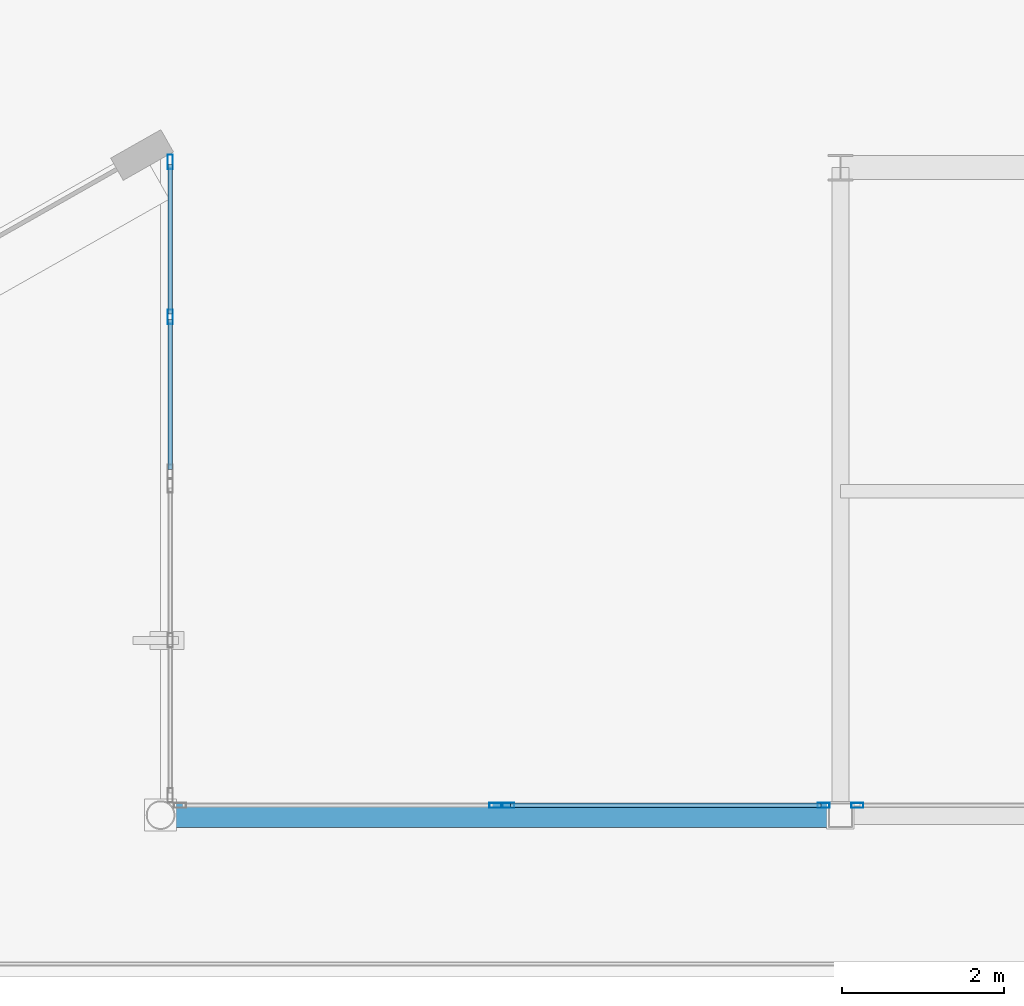
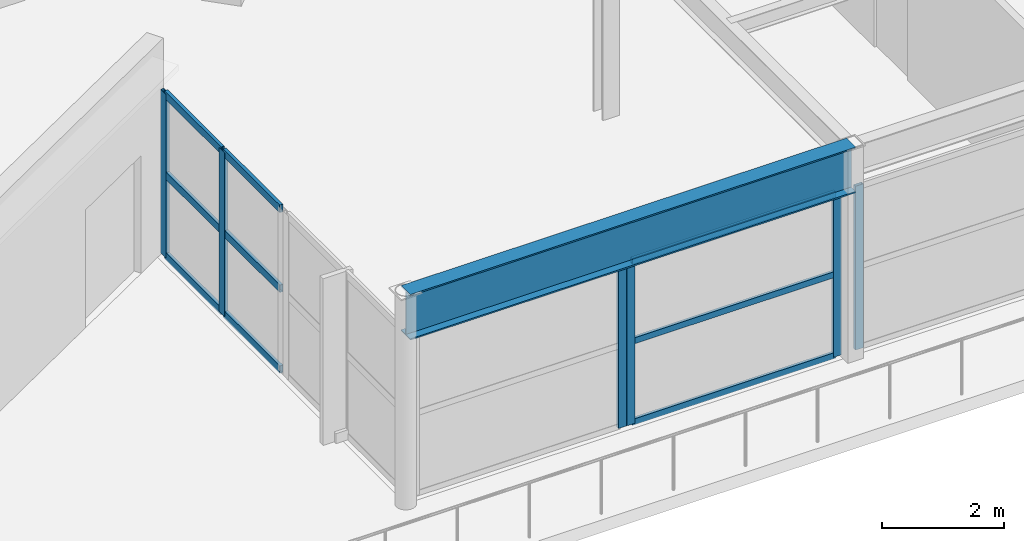
# One storey, part 59 of 123: 15 members, 1 beam, 4 elements without a shape of their own.
"""IFC4 building model written with IfcOpenShell, lengths in metres."""

from ifc_helpers import new_model, si_unit, direction, frame, origin, origin_2d, place, context, subcontext, project, spatial, hollow_rectangle, i_section, extrude, material, layer, layer_set, material_profile, profile_set, type_object, element, aggregate, save


model = new_model("IFC4")

# Units and contexts
model_context = context("Model", 3, precision=1e-05, world=origin(), true_north=direction((0.0, 1.0)))
body_context = subcontext(model_context, "Body", "Model", "MODEL_VIEW")
ifc_project = project(units=[si_unit("LENGTHUNIT", "METRE"), si_unit("AREAUNIT", "SQUARE_METRE"), si_unit("VOLUMEUNIT", "CUBIC_METRE"), si_unit("PLANEANGLEUNIT", "RADIAN"), si_unit("MASSUNIT", "GRAM", prefix="KILO")], contexts=[model_context])

# Site, building, storey
site_placement = place(None, origin())
site = spatial("IfcSite", under=ifc_project, at=site_placement, CompositionType="ELEMENT")
building_placement = place(site_placement, origin())
building = spatial("IfcBuilding", under=site, at=building_placement, Name="Kalgoora Escarpment Arena", CompositionType="ELEMENT")
storey_placement = place(building_placement, frame((0.0, 0.0, 9.89990234375)))
storey = spatial("IfcBuildingStorey", under=building, at=storey_placement, Name="L02", CompositionType="ELEMENT", Elevation=9.89990234375)

# Beam
ifc_material_1 = material(Name="Structural steel Grade 350 (350 MPa)", Category="steel")
ifc_material_profile_1 = material_profile(ifc_material_1, i_section(OverallWidth=0.300048828125, OverallDepth=0.909912109375, WebThickness=0.011962890625, FlangeThickness=0.028076171875, at=origin_2d()))
ifc_profile_set_1 = profile_set([ifc_material_profile_1], Name="Structural steel Grade 350 (350 MPa)")
beam_type = type_object("IfcBeamType", Name="BM-SPANDREL-900WB218", PredefinedType="SPANDREL", material=ifc_profile_set_1)
beam_placement = place(storey_placement, frame((142.800048828125, 8.0, 3.80517578125), z_axis=(1.0, 0.0, 0.0), x_axis=(0.0, 1.0, 0.0)))
element("IfcBeam", 1, at=beam_placement, inside=storey, type_object=beam_type, Name="L02 Floor girder 900WB218", PredefinedType="SPANDREL", context=body_context, shape_type="SweptSolid", body=[
    extrude(i_section(OverallWidth=0.300048828125, OverallDepth=0.909912109375, WebThickness=0.011962890625, FlangeThickness=0.028076171875, at=origin_2d()), origin(), (0.0, 0.0, 1.0), 8.39990234375),
])

# Curtain wall, member
ifc_material_2 = material(Name=" Champagne anodised aluminium & double-glazed low-E", Category="aluminium")
ifc_layer_1 = layer(ifc_material_2, 0.154052734375)
ifc_layer_set_1 = layer_set([ifc_layer_1], Name="CW-UNIT-16")
curtain_wall_type_1 = type_object("IfcCurtainWallType", Name="CW-UNIT-16", PredefinedType="NOTDEFINED", material=ifc_layer_set_1)
curtain_wall_1_placement = place(storey_placement, origin())
curtain_wall_1 = element("IfcCurtainWall", 2, at=curtain_wall_1_placement, inside=storey, type_object=curtain_wall_type_1, Name="L02 unitised facade curtain wall 095", PredefinedType="NOTDEFINED")
ifc_material_3 = material(Name="Anodised aluminium 6063-T6", Category="aluminium")
ifc_material_profile_2 = material_profile(ifc_material_3, hollow_rectangle(XDim=0.06005859375, YDim=0.14990234375, WallThickness=0.00341796875, at=origin_2d()))
ifc_profile_set_2 = profile_set([ifc_material_profile_2], Name="Anodised aluminium 6063-T6")
member_type_1 = type_object("IfcMemberType", Name="MEM-CW-MULL-150", PredefinedType="MULLION", material=ifc_profile_set_2)
member_1_placement = place(storey_placement, frame((151.408447265625, 8.1201171875, 0.02001953125), z_axis=(0.0, 0.0, 1.0), x_axis=(0.0, -1.0, 0.0)))
member_1 = element("IfcMember", 3, at=member_1_placement, type_object=member_type_1, Name="CW-16 mullion 2", PredefinedType="MULLION", context=body_context, shape_type="SweptSolid", body=[
    extrude(hollow_rectangle(XDim=0.06005859375, YDim=0.14990234375, WallThickness=0.00341796875, at=origin_2d()), origin(), (0.0, 0.0, 1.0), 3.26513671875),
])
aggregate(curtain_wall_1, [member_1])

# Curtain wall, members
ifc_material_4 = material(Name=" Champagne anodised aluminium & double-glazed low-E", Category="aluminium")
ifc_layer_2 = layer(ifc_material_4, 0.157958984375)
ifc_layer_set_2 = layer_set([ifc_layer_2], Name="CW-UNIT-17")
curtain_wall_type_2 = type_object("IfcCurtainWallType", Name="CW-UNIT-17", PredefinedType="NOTDEFINED", material=ifc_layer_set_2)
curtain_wall_2_placement = place(storey_placement, origin())
curtain_wall_2 = element("IfcCurtainWall", 4, at=curtain_wall_2_placement, inside=storey, type_object=curtain_wall_type_2, Name="L02 unitised facade curtain wall 096", PredefinedType="NOTDEFINED")
member_2_placement = place(storey_placement, frame((150.99169921875, 8.1201171875, 0.02001953125), z_axis=(0.0, 0.0, 1.0), x_axis=(0.0, -1.0, 0.0)))
member_2 = element("IfcMember", 5, at=member_2_placement, type_object=member_type_1, Name="CW-17 mullion 1", PredefinedType="MULLION", context=body_context, shape_type="SweptSolid", body=[
    extrude(hollow_rectangle(XDim=0.06005859375, YDim=0.14990234375, WallThickness=0.00341796875, at=origin_2d()), origin(), (0.0, 0.0, 1.0), 3.26513671875),
])
member_3_placement = place(storey_placement, frame((147.09619140625, 8.1201171875, 0.02001953125), z_axis=(0.0, 0.0, 1.0), x_axis=(0.0, -1.0, 0.0)))
member_3 = element("IfcMember", 6, at=member_3_placement, type_object=member_type_1, Name="CW-17 mullion 2", PredefinedType="MULLION", context=body_context, shape_type="SweptSolid", body=[
    extrude(hollow_rectangle(XDim=0.06005859375, YDim=0.14990234375, WallThickness=0.00341796875, at=origin_2d()), origin(), (0.0, 0.0, 1.0), 3.26513671875),
])

# Curtain wall, member
ifc_material_5 = material(Name=" Champagne anodised aluminium & double-glazed low-E", Category="aluminium")
ifc_layer_3 = layer(ifc_material_5, 0.162109375)
ifc_layer_set_3 = layer_set([ifc_layer_3], Name="CW-UNIT-18")
curtain_wall_type_3 = type_object("IfcCurtainWallType", Name="CW-UNIT-18", PredefinedType="NOTDEFINED", material=ifc_layer_set_3)
curtain_wall_3_placement = place(storey_placement, origin())
curtain_wall_3 = element("IfcCurtainWall", 7, at=curtain_wall_3_placement, inside=storey, type_object=curtain_wall_type_3, Name="L02 unitised facade curtain wall 097", PredefinedType="NOTDEFINED")
member_4_placement = place(storey_placement, frame((146.936279296875, 8.1201171875, 0.02001953125), z_axis=(0.0, 0.0, 1.0), x_axis=(0.0, -1.0, 0.0)))
member_4 = element("IfcMember", 8, at=member_4_placement, type_object=member_type_1, Name="CW-18 mullion 1", PredefinedType="MULLION", context=body_context, shape_type="SweptSolid", body=[
    extrude(hollow_rectangle(XDim=0.06005859375, YDim=0.14990234375, WallThickness=0.00341796875, at=origin_2d()), origin(), (0.0, 0.0, 1.0), 3.26513671875),
])
aggregate(curtain_wall_3, [member_4])

# Curtain wall, members
ifc_material_6 = material(Name=" Champagne anodised aluminium & double-glazed low-E", Category="aluminium")
ifc_layer_4 = layer(ifc_material_6, 0.162109375)
ifc_layer_set_4 = layer_set([ifc_layer_4], Name="CW-UNIT-03")
curtain_wall_type_4 = type_object("IfcCurtainWallType", Name="CW-UNIT-03", PredefinedType="NOTDEFINED", material=ifc_layer_set_4)
curtain_wall_4_placement = place(storey_placement, origin())
curtain_wall_4 = element("IfcCurtainWall", 9, at=curtain_wall_4_placement, inside=storey, type_object=curtain_wall_type_4, Name="L02 unitised facade curtain wall 042", PredefinedType="NOTDEFINED")
ifc_material_7 = material(Name="Anodised aluminium 6063-T6", Category="aluminium")
ifc_material_profile_3 = material_profile(ifc_material_7, hollow_rectangle(XDim=0.06494140625, YDim=0.179931640625, WallThickness=0.00390625, at=origin_2d()))
ifc_profile_set_3 = profile_set([ifc_material_profile_3], Name="Anodised aluminium 6063-T6")
member_type_2 = type_object("IfcMemberType", Name="MEM-CW-MULL-180", PredefinedType="MULLION", material=ifc_profile_set_3)
member_5_placement = place(storey_placement, frame((142.919921875, 14.155517578125, 0.02001953125), z_axis=(0.0, 0.0, 1.0), x_axis=(-1.0, 0.0, 0.0)))
member_5 = element("IfcMember", 10, at=member_5_placement, type_object=member_type_2, Name="CW-03 mullion 2", PredefinedType="MULLION", context=body_context, shape_type="SweptSolid", body=[
    extrude(hollow_rectangle(XDim=0.06494140625, YDim=0.179931640625, WallThickness=0.00390625, at=origin_2d()), origin(), (0.0, 0.0, 1.0), 3.26513671875),
])
member_6_placement = place(storey_placement, frame((142.919921875, 16.071044921875, 0.02001953125), z_axis=(0.0, 0.0, 1.0), x_axis=(-1.0, 0.0, 0.0)))
member_6 = element("IfcMember", 11, at=member_6_placement, type_object=member_type_2, Name="CW-03 mullion 3", PredefinedType="MULLION", context=body_context, shape_type="SweptSolid", body=[
    extrude(hollow_rectangle(XDim=0.06494140625, YDim=0.179931640625, WallThickness=0.00390625, at=origin_2d()), origin(), (0.0, 0.0, 1.0), 3.26513671875),
])

# Member
ifc_material_8 = material(Name="Anodised aluminium 6063-T6", Category="aluminium")
ifc_material_profile_4 = material_profile(ifc_material_8, hollow_rectangle(XDim=0.054931640625, YDim=0.1201171875, WallThickness=0.003173828125, at=origin_2d()))
ifc_profile_set_4 = profile_set([ifc_material_profile_4], Name="Anodised aluminium 6063-T6")
member_type_3 = type_object("IfcMemberType", Name="MEM-CW-TRAN-120", PredefinedType="USERDEFINED", material=ifc_profile_set_4)
member_7_placement = place(storey_placement, frame((150.961669921875, 8.1201171875, 0.047607421875), z_axis=(-1.0, 0.0, 0.0), x_axis=(0.0, -1.0, 0.0)))
member_7 = element("IfcMember", 12, at=member_7_placement, type_object=member_type_3, Name="CW-17 transom 1.1", ObjectType="TRANSOM", PredefinedType="USERDEFINED", context=body_context, shape_type="SweptSolid", body=[
    extrude(hollow_rectangle(XDim=0.054931640625, YDim=0.1201171875, WallThickness=0.003173828125, at=origin_2d()), origin(), (0.0, 0.0, 1.0), 3.83544921875),
])

member_8_placement = place(storey_placement, frame((150.961669921875, 8.1201171875, 1.66259765625), z_axis=(-1.0, 0.0, 0.0), x_axis=(0.0, -1.0, 0.0)))
member_8 = element("IfcMember", 13, at=member_8_placement, type_object=member_type_3, Name="CW-17 transom 1.2", ObjectType="TRANSOM", PredefinedType="USERDEFINED", context=body_context, shape_type="SweptSolid", body=[
    extrude(hollow_rectangle(XDim=0.054931640625, YDim=0.1201171875, WallThickness=0.003173828125, at=origin_2d()), origin(), (0.0, 0.0, 1.0), 3.83544921875),
])

member_9_placement = place(storey_placement, frame((150.961669921875, 8.1201171875, 3.257568359375), z_axis=(-1.0, 0.0, 0.0), x_axis=(0.0, -1.0, 0.0)))
member_9 = element("IfcMember", 14, at=member_9_placement, type_object=member_type_3, Name="CW-17 transom 1.3", ObjectType="TRANSOM", PredefinedType="USERDEFINED", context=body_context, shape_type="SweptSolid", body=[
    extrude(hollow_rectangle(XDim=0.054931640625, YDim=0.1201171875, WallThickness=0.003173828125, at=origin_2d()), origin(), (0.0, 0.0, 1.0), 3.83544921875),
])

aggregate(curtain_wall_2, [member_2, member_3, member_7, member_8, member_9])

ifc_material_9 = material(Name="Anodised aluminium 6063-T6", Category="aluminium")
ifc_material_profile_5 = material_profile(ifc_material_9, hollow_rectangle(XDim=0.06005859375, YDim=0.14990234375, WallThickness=0.00341796875, at=origin_2d()))
ifc_profile_set_5 = profile_set([ifc_material_profile_5], Name="Anodised aluminium 6063-T6")
member_type_4 = type_object("IfcMemberType", Name="MEM-CW-TRAN-150", PredefinedType="USERDEFINED", material=ifc_profile_set_5)
member_10_placement = place(storey_placement, frame((142.919921875, 12.272216796875, 0.050048828125), z_axis=(0.0, 1.0, 0.0), x_axis=(-1.0, 0.0, 0.0)))
member_10 = element("IfcMember", 15, at=member_10_placement, type_object=member_type_4, Name="CW-03 transom 1.1", ObjectType="TRANSOM", PredefinedType="USERDEFINED", context=body_context, shape_type="SweptSolid", body=[
    extrude(hollow_rectangle(XDim=0.06005859375, YDim=0.14990234375, WallThickness=0.00341796875, at=origin_2d()), origin(), (0.0, 0.0, 1.0), 1.8505859375),
])

member_11_placement = place(storey_placement, frame((142.919921875, 12.272216796875, 1.66259765625), z_axis=(0.0, 1.0, 0.0), x_axis=(-1.0, 0.0, 0.0)))
member_11 = element("IfcMember", 16, at=member_11_placement, type_object=member_type_4, Name="CW-03 transom 1.2", ObjectType="TRANSOM", PredefinedType="USERDEFINED", context=body_context, shape_type="SweptSolid", body=[
    extrude(hollow_rectangle(XDim=0.06005859375, YDim=0.14990234375, WallThickness=0.00341796875, at=origin_2d()), origin(), (0.0, 0.0, 1.0), 1.8505859375),
])

member_12_placement = place(storey_placement, frame((142.919921875, 12.272216796875, 3.255126953125), z_axis=(0.0, 1.0, 0.0), x_axis=(-1.0, 0.0, 0.0)))
member_12 = element("IfcMember", 17, at=member_12_placement, type_object=member_type_4, Name="CW-03 transom 1.3", ObjectType="TRANSOM", PredefinedType="USERDEFINED", context=body_context, shape_type="SweptSolid", body=[
    extrude(hollow_rectangle(XDim=0.06005859375, YDim=0.14990234375, WallThickness=0.00341796875, at=origin_2d()), origin(), (0.0, 0.0, 1.0), 1.8505859375),
])

member_13_placement = place(storey_placement, frame((142.919921875, 14.18798828125, 0.050048828125), z_axis=(0.0, 1.0, 0.0), x_axis=(-1.0, 0.0, 0.0)))
member_13 = element("IfcMember", 18, at=member_13_placement, type_object=member_type_4, Name="CW-03 transom 2.1", ObjectType="TRANSOM", PredefinedType="USERDEFINED", context=body_context, shape_type="SweptSolid", body=[
    extrude(hollow_rectangle(XDim=0.06005859375, YDim=0.14990234375, WallThickness=0.00341796875, at=origin_2d()), origin(), (0.0, 0.0, 1.0), 1.8505859375),
])

member_14_placement = place(storey_placement, frame((142.919921875, 14.18798828125, 1.66259765625), z_axis=(0.0, 1.0, 0.0), x_axis=(-1.0, 0.0, 0.0)))
member_14 = element("IfcMember", 19, at=member_14_placement, type_object=member_type_4, Name="CW-03 transom 2.2", ObjectType="TRANSOM", PredefinedType="USERDEFINED", context=body_context, shape_type="SweptSolid", body=[
    extrude(hollow_rectangle(XDim=0.06005859375, YDim=0.14990234375, WallThickness=0.00341796875, at=origin_2d()), origin(), (0.0, 0.0, 1.0), 1.8505859375),
])

member_15_placement = place(storey_placement, frame((142.919921875, 14.18798828125, 3.255126953125), z_axis=(0.0, 1.0, 0.0), x_axis=(-1.0, 0.0, 0.0)))
member_15 = element("IfcMember", 20, at=member_15_placement, type_object=member_type_4, Name="CW-03 transom 2.3", ObjectType="TRANSOM", PredefinedType="USERDEFINED", context=body_context, shape_type="SweptSolid", body=[
    extrude(hollow_rectangle(XDim=0.06005859375, YDim=0.14990234375, WallThickness=0.00341796875, at=origin_2d()), origin(), (0.0, 0.0, 1.0), 1.8505859375),
])

aggregate(curtain_wall_4, [member_5, member_6, member_10, member_11, member_12, member_13, member_14, member_15])

save(model, "model.ifc")
